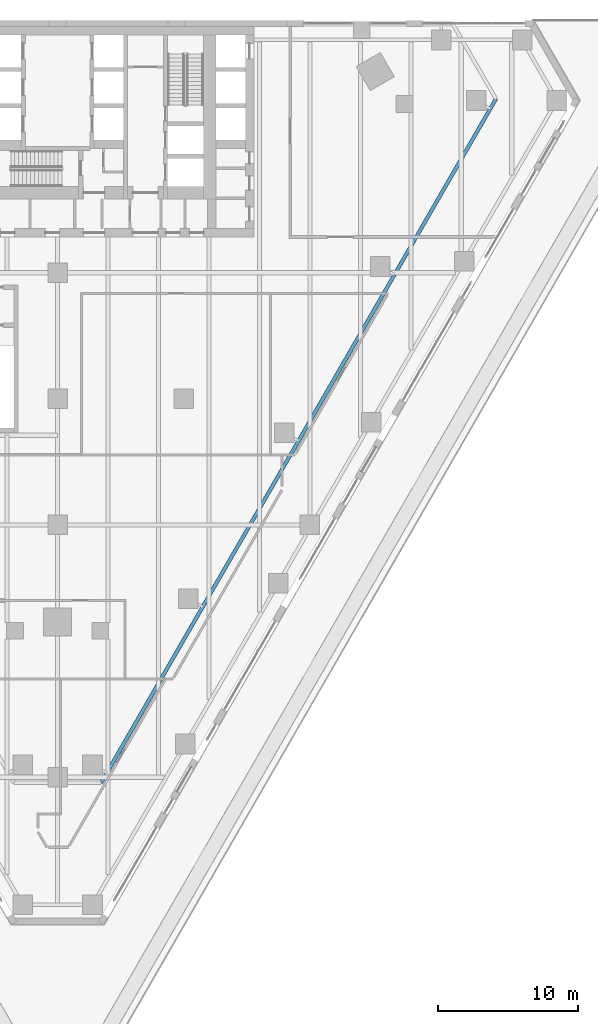
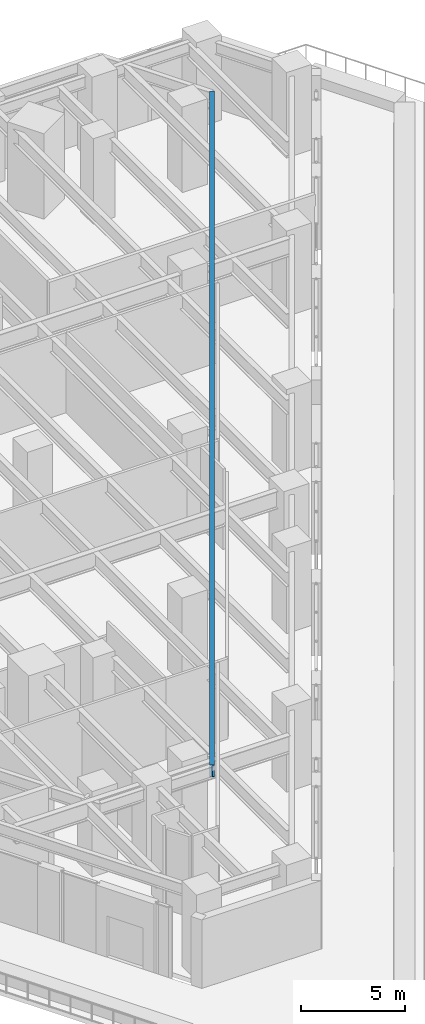
# One storey, part 9 of 31: 1 beam.
"""IFC4 building model written with IfcOpenShell, lengths in metres."""

from ifc_helpers import new_model, si_unit, direction, frame, origin, origin_2d, place, context, subcontext, project, spatial, i_section, extrude, material, material_profile, profile_set, type_object, element, save


model = new_model("IFC4")

# Units and contexts
model_context = context("Model", 3, precision=1e-05, world=origin(), true_north=direction((0.0, 1.0)))
body_context = subcontext(model_context, "Body", "Model", "MODEL_VIEW")
ifc_project = project(units=[si_unit("LENGTHUNIT", "METRE"), si_unit("AREAUNIT", "SQUARE_METRE"), si_unit("VOLUMEUNIT", "CUBIC_METRE"), si_unit("PLANEANGLEUNIT", "RADIAN"), si_unit("MASSUNIT", "GRAM", prefix="KILO")], contexts=[model_context])

# Site, building, storey
site_placement = place(None, origin())
site = spatial("IfcSite", under=ifc_project, at=site_placement, CompositionType="ELEMENT")
building_placement = place(site_placement, origin())
building = spatial("IfcBuilding", under=site, at=building_placement, Name="Aloe Facet Convention Tower", CompositionType="ELEMENT")
storey_placement = place(building_placement, frame((0.0, 0.0, 25.0)))
storey = spatial("IfcBuildingStorey", under=building, at=storey_placement, Name="L04", CompositionType="ELEMENT", Elevation=25.0)

# Beam
ifc_material = material(Name="Steel S355", Category="steel")
ifc_material_profile = material_profile(ifc_material, i_section(OverallWidth=0.25439453125, OverallDepth=0.6875, WebThickness=0.01318359375, FlangeThickness=0.02099609375, FilletRadius=0.01513671875, at=origin_2d()), Name="UB 686x254x152")
ifc_profile_set = profile_set([ifc_material_profile], Name="Steel S355")
beam_type = type_object("IfcBeamType", Name="EV-EB-UB686x254x152", PredefinedType="BEAM", material=ifc_profile_set)
beam_placement = place(storey_placement, frame((83.10498046875, 80.598876953125, 4.356201171875), z_axis=(0.500001746973, 0.866024395167, 0.0), x_axis=(-0.866024395167, 0.500001746973, 0.0)))
element("IfcBeam", 1, at=beam_placement, inside=storey, type_object=beam_type, Name="EB-L05-E", PredefinedType="BEAM", context=body_context, shape_type="SweptSolid", body=[
    extrude(i_section(OverallWidth=0.25439453125, OverallDepth=0.6875, WebThickness=0.01318359375, FlangeThickness=0.02099609375, FilletRadius=0.01513671875, at=origin_2d()), origin(), (0.0, 0.0, 1.0), 56.346923828125),
])

save(model, "model.ifc")
